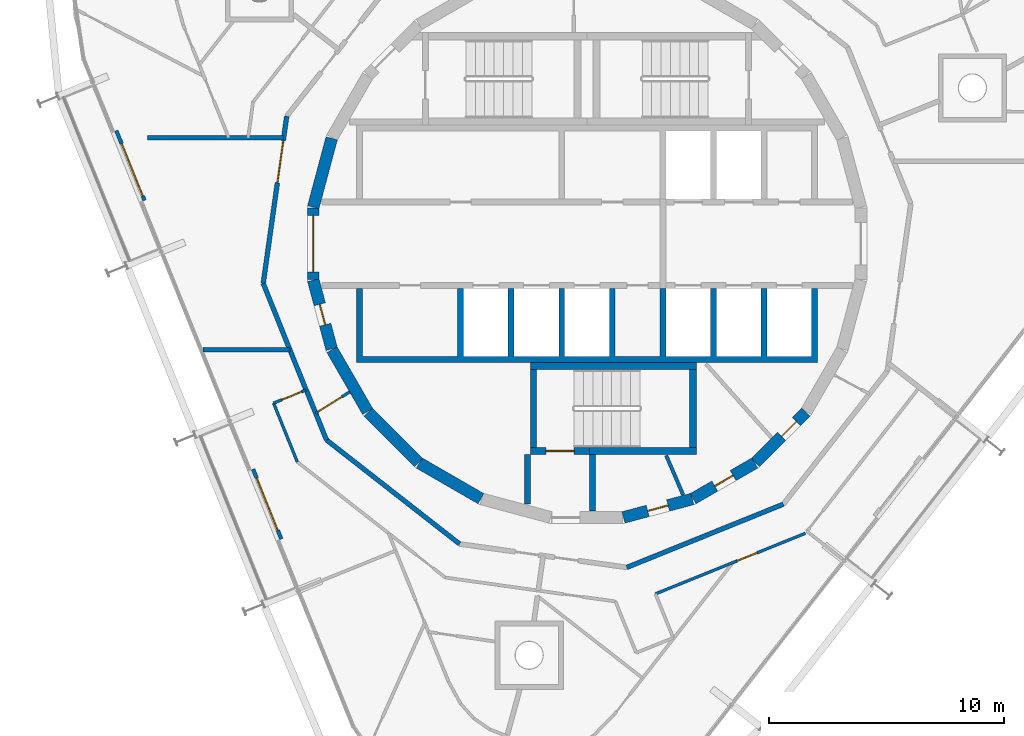
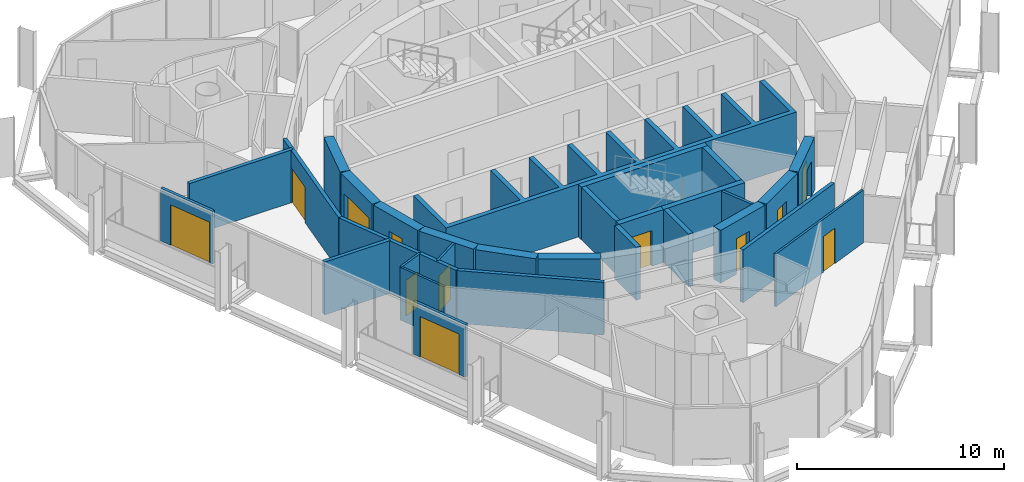
# One storey, part 10 of 15: 31 walls, 12 doors, 12 openings.
"""IFC4 building model written with IfcOpenShell, lengths in metres."""

from ifc_helpers import new_model, si_unit, direction, frame, frame_2d, origin, place, context, subcontext, project, spatial, polyline, rectangle, outline, extrude, material, layer, layer_set, type_object, element, fill, save


model = new_model("IFC4")

# Units and contexts
model_context = context("Model", 3, precision=1e-05, world=origin(), true_north=direction((0.0, 1.0)))
body_context = subcontext(model_context, "Body", "Model", "MODEL_VIEW")
ifc_project = project(units=[si_unit("LENGTHUNIT", "METRE"), si_unit("AREAUNIT", "SQUARE_METRE"), si_unit("VOLUMEUNIT", "CUBIC_METRE"), si_unit("PLANEANGLEUNIT", "RADIAN"), si_unit("MASSUNIT", "GRAM", prefix="KILO")], contexts=[model_context])

# Site, building, storey
site_placement = place(None, origin())
site = spatial("IfcSite", under=ifc_project, at=site_placement, CompositionType="ELEMENT")
building_placement = place(site_placement, origin())
building = spatial("IfcBuilding", under=site, at=building_placement, Name="Spindle Arch Residences", CompositionType="ELEMENT")
storey_placement = place(building_placement, frame((0.0, 0.0, 350.5)))
storey = spatial("IfcBuildingStorey", under=building, at=storey_placement, Name="L90", CompositionType="ELEMENT", Elevation=350.5)

# Wall, opening, door
ifc_material_1 = material(Name="Concrete C50/60", Category="concrete")
ifc_layer_1 = layer(ifc_material_1, 0.5)
ifc_layer_set_1 = layer_set([ifc_layer_1], Name="Core outline wall 500")
wall_type_1 = type_object("IfcWallType", Name="Core outline wall 500", PredefinedType="SHEAR", material=ifc_layer_set_1)
wall_1_placement = place(storey_placement, frame((1.5498046875, -11.642822265625, 0.0), z_axis=(0.0, 0.0, 1.0), x_axis=(0.965948410781, 0.258734743916, 0.0)))
wall_1 = element("IfcWall", 1, at=wall_1_placement, inside=storey, type_object=wall_type_1, Name="Core outline wall 1", PredefinedType="SHEAR", context=body_context, shape_type="SweptSolid", body=[
    extrude(rectangle(XDim=3.03271484375, YDim=0.5, at=frame_2d((1.516357421875, 0.0))), origin(), (0.0, 0.0, 1.0), 3.1201171875),
])
opening_1_placement = place(wall_1_placement, frame((1.06640625, 0.0, 0.0)))
opening_1 = element("IfcOpeningElement", 2, at=opening_1_placement, cuts=wall_1, Name="Opening R9B1-WD08", PredefinedType="OPENING", context=body_context, shape_type="SweptSolid", body=[
    extrude(rectangle(XDim=0.89990234375, YDim=2.10009765625, at=frame_2d((0.449951171875, 1.050048828125))), frame((0.0, 0.260009765625, 0.0), z_axis=(0.0, -1.0, 0.0), x_axis=(1.0, 0.0, 0.0)), (0.0, 0.0, 1.0), 0.52001953125),
])
ifc_material_2 = material(Name="Steel, fire-resisting door", Category="steel")
door_type_1 = type_object("IfcDoorType", Name="Service room door 900x2100", OperationType="SINGLE_SWING_LEFT", PredefinedType="DOOR", material=ifc_material_2)
door_1_placement = place(opening_1_placement, origin())
door_1 = element("IfcDoor", 3, at=door_1_placement, inside=storey, type_object=door_type_1, Name="Service room door R9B1-WD08", OperationType="SINGLE_SWING_RIGHT", OverallHeight=2.10009765625, OverallWidth=0.89990234375, PredefinedType="DOOR", context=body_context, shape_type="SweptSolid", body=[
    extrude(rectangle(XDim=0.89990234375, YDim=2.10009765625, at=frame_2d((0.449951171875, 1.050048828125))), frame((0.0, 0.02490234375, 0.0), z_axis=(0.0, -1.0, 0.0), x_axis=(1.0, 0.0, 0.0)), (0.0, 0.0, 1.0), 0.050048828125),
])
fill(opening_1, door_1)

wall_2_placement = place(storey_placement, frame((4.510498046875, -10.84521484375, 0.0), z_axis=(0.0, 0.0, 1.0), x_axis=(0.865975092491, 0.500087131594, 0.0)))
wall_2 = element("IfcWall", 4, at=wall_2_placement, inside=storey, type_object=wall_type_1, Name="Core outline wall 2", PredefinedType="SHEAR", context=body_context, shape_type="SweptSolid", body=[
    extrude(rectangle(XDim=3.03271484375, YDim=0.5, at=frame_2d((1.516357421875, 0.0))), origin(), (0.0, 0.0, 1.0), 3.1201171875),
])
opening_2_placement = place(wall_2_placement, frame((1.06640625, 0.0, 0.0)))
opening_2 = element("IfcOpeningElement", 5, at=opening_2_placement, cuts=wall_2, Name="Opening R9B1-WD09", PredefinedType="OPENING", context=body_context, shape_type="SweptSolid", body=[
    extrude(rectangle(XDim=0.89990234375, YDim=2.10009765625, at=frame_2d((0.449951171875, 1.050048828125))), frame((0.0, 0.260009765625, 0.0), z_axis=(0.0, -1.0, 0.0), x_axis=(1.0, 0.0, 0.0)), (0.0, 0.0, 1.0), 0.52001953125),
])
door_2_placement = place(opening_2_placement, origin())
door_2 = element("IfcDoor", 6, at=door_2_placement, inside=storey, type_object=door_type_1, Name="Service room door R9B1-WD09", OperationType="SINGLE_SWING_LEFT", OverallHeight=2.10009765625, OverallWidth=0.89990234375, PredefinedType="DOOR", context=body_context, shape_type="SweptSolid", body=[
    extrude(rectangle(XDim=0.89990234375, YDim=2.10009765625, at=frame_2d((0.449951171875, 1.050048828125))), frame((0.0, 0.02490234375, 0.0), z_axis=(0.0, -1.0, 0.0), x_axis=(1.0, 0.0, 0.0)), (0.0, 0.0, 1.0), 0.050048828125),
])
fill(opening_2, door_2)

wall_3_placement = place(storey_placement, frame((7.163818359375, -9.30810546875, 0.0), z_axis=(0.0, 0.0, 1.0), x_axis=(0.707106781187, 0.707106781187, 0.0)))
wall_3 = element("IfcWall", 7, at=wall_3_placement, inside=storey, type_object=wall_type_1, Name="Core outline wall 3", PredefinedType="SHEAR", context=body_context, shape_type="SweptSolid", body=[
    extrude(rectangle(XDim=3.032470703125, YDim=0.5, at=frame_2d((1.51611328125, 0.0))), origin(), (0.0, 0.0, 1.0), 3.1201171875),
])
opening_3_placement = place(wall_3_placement, frame((1.56640625, 0.0, 0.0)))
opening_3 = element("IfcOpeningElement", 8, at=opening_3_placement, cuts=wall_3, Name="Opening R9B1-WD07", PredefinedType="OPENING", context=body_context, shape_type="SweptSolid", body=[
    extrude(rectangle(XDim=0.89990234375, YDim=2.10009765625, at=frame_2d((0.449951171875, 1.050048828125))), frame((0.0, 0.260009765625, 0.0), z_axis=(0.0, -1.0, 0.0), x_axis=(1.0, 0.0, 0.0)), (0.0, 0.0, 1.0), 0.52001953125),
])
door_3_placement = place(opening_3_placement, origin())
door_3 = element("IfcDoor", 9, at=door_3_placement, inside=storey, type_object=door_type_1, Name="Service room door R9B1-WD07", OperationType="SINGLE_SWING_LEFT", OverallHeight=2.10009765625, OverallWidth=0.89990234375, PredefinedType="DOOR", context=body_context, shape_type="SweptSolid", body=[
    extrude(rectangle(XDim=0.89990234375, YDim=2.10009765625, at=frame_2d((0.449951171875, 1.050048828125))), frame((0.0, 0.02490234375, 0.0), z_axis=(0.0, -1.0, 0.0), x_axis=(1.0, 0.0, 0.0)), (0.0, 0.0, 1.0), 0.050048828125),
])
fill(opening_3, door_3)

# Wall
wall_4_placement = place(storey_placement, frame((-10.858154296875, 4.479248046875, 0.0), z_axis=(0.0, 0.0, 1.0), x_axis=(-0.258734743916, -0.965948410781, 0.0)))
element("IfcWall", 10, at=wall_4_placement, inside=storey, type_object=wall_type_1, Name="Core outline wall 17", PredefinedType="SHEAR", context=body_context, shape_type="SweptSolid", body=[
    extrude(rectangle(XDim=3.03271484375, YDim=0.5, at=frame_2d((1.516357421875, 0.0))), origin(), (0.0, 0.0, 1.0), 3.1201171875),
])

# Wall, opening, door
wall_5_placement = place(storey_placement, frame((-11.647216796875, 1.516357421875, 0.0), z_axis=(0.0, 0.0, 1.0), x_axis=(0.0, -1.0, 0.0)))
wall_5 = element("IfcWall", 11, at=wall_5_placement, inside=storey, type_object=wall_type_1, Name="Core outline wall 18", PredefinedType="SHEAR", context=body_context, shape_type="SweptSolid", body=[
    extrude(rectangle(XDim=3.03271484375, YDim=0.5, at=frame_2d((1.516357421875, 0.0))), origin(), (0.0, 0.0, 1.0), 3.1201171875),
])
opening_4_placement = place(wall_5_placement, frame((0.31640625, 0.0, 0.0)))
opening_4 = element("IfcOpeningElement", 12, at=opening_4_placement, cuts=wall_5, Name="Opening R9B1-LE01", PredefinedType="OPENING", context=body_context, shape_type="SweptSolid", body=[
    extrude(rectangle(XDim=2.39990234375, YDim=2.10009765625, at=frame_2d((1.199951171875, 1.050048828125))), frame((0.0, 0.260009765625, 0.0), z_axis=(0.0, -1.0, 0.0), x_axis=(1.0, 0.0, 0.0)), (0.0, 0.0, 1.0), 0.52001953125),
])
ifc_material_3 = material(Name="Steel, fire-resisting door", Category="steel")
door_type_2 = type_object("IfcDoorType", Name="Lift lobby entrance door 2400x2100", OperationType="DOUBLE_DOOR_SINGLE_SWING", PredefinedType="DOOR", material=ifc_material_3)
door_4_placement = place(opening_4_placement, origin())
door_4 = element("IfcDoor", 13, at=door_4_placement, inside=storey, type_object=door_type_2, Name="Lift lobby entrance door R9B1-LE01", OperationType="DOUBLE_DOOR_SINGLE_SWING", OverallHeight=2.10009765625, OverallWidth=2.39990234375, PredefinedType="DOOR", context=body_context, shape_type="SweptSolid", body=[
    extrude(rectangle(XDim=2.39990234375, YDim=2.10009765625, at=frame_2d((1.199951171875, 1.050048828125))), frame((0.0, 0.02490234375, 0.0), z_axis=(0.0, -1.0, 0.0), x_axis=(1.0, 0.0, 0.0)), (0.0, 0.0, 1.0), 0.050048828125),
])
fill(opening_4, door_4)

wall_6_placement = place(storey_placement, frame((-11.642822265625, -1.5498046875, 0.0), z_axis=(0.0, 0.0, 1.0), x_axis=(0.258734743916, -0.965948410781, 0.0)))
wall_6 = element("IfcWall", 14, at=wall_6_placement, inside=storey, type_object=wall_type_1, Name="Core outline wall 19", PredefinedType="SHEAR", context=body_context, shape_type="SweptSolid", body=[
    extrude(rectangle(XDim=3.03271484375, YDim=0.5, at=frame_2d((1.516357421875, 0.0))), origin(), (0.0, 0.0, 1.0), 3.1201171875),
])
opening_5_placement = place(wall_6_placement, frame((1.06640625, 0.0, 0.0)))
opening_5 = element("IfcOpeningElement", 15, at=opening_5_placement, cuts=wall_6, Name="Opening R9B1-WD10", PredefinedType="OPENING", context=body_context, shape_type="SweptSolid", body=[
    extrude(rectangle(XDim=0.89990234375, YDim=2.10009765625, at=frame_2d((0.449951171875, 1.050048828125))), frame((0.0, 0.260009765625, 0.0), z_axis=(0.0, -1.0, 0.0), x_axis=(1.0, 0.0, 0.0)), (0.0, 0.0, 1.0), 0.52001953125),
])
door_5_placement = place(opening_5_placement, origin())
door_5 = element("IfcDoor", 16, at=door_5_placement, inside=storey, type_object=door_type_1, Name="Service room door R9B1-WD10", OperationType="SINGLE_SWING_RIGHT", OverallHeight=2.10009765625, OverallWidth=0.89990234375, PredefinedType="DOOR", context=body_context, shape_type="SweptSolid", body=[
    extrude(rectangle(XDim=0.89990234375, YDim=2.10009765625, at=frame_2d((0.449951171875, 1.050048828125))), frame((0.0, 0.02490234375, 0.0), z_axis=(0.0, -1.0, 0.0), x_axis=(1.0, 0.0, 0.0)), (0.0, 0.0, 1.0), 0.050048828125),
])
fill(opening_5, door_5)

# Walls
wall_7_placement = place(storey_placement, frame((-10.84521484375, -4.510498046875, 0.0), z_axis=(0.0, 0.0, 1.0), x_axis=(0.500087131594, -0.865975092491, 0.0)))
element("IfcWall", 17, at=wall_7_placement, inside=storey, type_object=wall_type_1, Name="Core outline wall 20", PredefinedType="SHEAR", context=body_context, shape_type="SweptSolid", body=[
    extrude(rectangle(XDim=3.03271484375, YDim=0.5, at=frame_2d((1.516357421875, 0.0))), origin(), (0.0, 0.0, 1.0), 3.1201171875),
])
wall_8_placement = place(storey_placement, frame((-9.30810546875, -7.163818359375, 0.0), z_axis=(0.0, 0.0, 1.0), x_axis=(0.707106781187, -0.707106781187, 0.0)))
element("IfcWall", 18, at=wall_8_placement, inside=storey, type_object=wall_type_1, Name="Core outline wall 21", PredefinedType="SHEAR", context=body_context, shape_type="SweptSolid", body=[
    extrude(rectangle(XDim=3.032470703125, YDim=0.5, at=frame_2d((1.51611328125, 0.0))), origin(), (0.0, 0.0, 1.0), 3.1201171875),
])
wall_9_placement = place(storey_placement, frame((-7.13671875, -9.32861328125, 0.0), z_axis=(0.0, 0.0, 1.0), x_axis=(0.865975092491, -0.500087131594, 0.0)))
element("IfcWall", 19, at=wall_9_placement, inside=storey, type_object=wall_type_1, Name="Core outline wall 22", PredefinedType="SHEAR", context=body_context, shape_type="SweptSolid", body=[
    extrude(rectangle(XDim=3.03271484375, YDim=0.5, at=frame_2d((1.516357421875, 0.0))), origin(), (0.0, 0.0, 1.0), 3.1201171875),
])

# Wall, opening, door
ifc_material_4 = material(Name="Plasterboard on steel studs", Category="steel")
ifc_layer_2 = layer(ifc_material_4, 0.1201171875)
ifc_layer_set_2 = layer_set([ifc_layer_2], Name="Corridor division wall 120")
wall_type_2 = type_object("IfcWallType", Name="Corridor division wall 120", PredefinedType="PARTITIONING", material=ifc_layer_set_2)
wall_10_placement = place(storey_placement, frame((-11.539306640625, -7.21044921875, 0.0), z_axis=(0.0, 0.0, 1.0), x_axis=(0.848103039868, 0.529831325769, 0.0)))
wall_10 = element("IfcWall", 20, at=wall_10_placement, inside=storey, type_object=wall_type_2, Name="Corridor division wall R9B1-W003", PredefinedType="PARTITIONING", context=body_context, shape_type="SweptSolid", body=[
    extrude(rectangle(XDim=1.7021484375, YDim=0.1201171875, at=frame_2d((0.85107421875, 0.0))), origin(), (0.0, 0.0, 1.0), 3.1201171875),
])
opening_6_placement = place(wall_10_placement, frame((0.1201171875, 0.0, 0.0)))
opening_6 = element("IfcOpeningElement", 21, at=opening_6_placement, cuts=wall_10, Name="Opening R9B1-CD03", PredefinedType="OPENING", context=body_context, shape_type="SweptSolid", body=[
    extrude(rectangle(XDim=1.199951171875, YDim=2.10009765625, at=frame_2d((0.60009765625, 1.050048828125))), frame((0.0, 0.070068359375, 0.0), z_axis=(0.0, -1.0, 0.0), x_axis=(1.0, 0.0, 0.0)), (0.0, 0.0, 1.0), 0.14013671875),
])
ifc_material_5 = material(Name="Steel, fire-resisting door", Category="steel")
door_type_3 = type_object("IfcDoorType", Name="Corridor division door 1200x2100", OperationType="NOTDEFINED", PredefinedType="DOOR", material=ifc_material_5)
door_6_placement = place(opening_6_placement, origin())
door_6 = element("IfcDoor", 22, at=door_6_placement, inside=storey, type_object=door_type_3, Name="Corridor division door R9B1-CD03", OperationType="DOUBLE_DOOR_SINGLE_SWING", OverallHeight=2.10009765625, OverallWidth=1.199951171875, PredefinedType="DOOR", context=body_context, shape_type="SweptSolid", body=[
    extrude(rectangle(XDim=1.199951171875, YDim=2.10009765625, at=frame_2d((0.60009765625, 1.050048828125))), frame((0.0, 0.02490234375, 0.0), z_axis=(0.0, -1.0, 0.0), x_axis=(1.0, 0.0, 0.0)), (0.0, 0.0, 1.0), 0.050048828125),
])
fill(opening_6, door_6)

# Walls
ifc_material_6 = material(Name="Calcium silicate block, plastered")
ifc_layer_3 = layer(ifc_material_6, 0.199951171875)
ifc_layer_set_3 = layer_set([ifc_layer_3], Name="Corridor wall 200")
wall_type_3 = type_object("IfcWallType", Name="Corridor wall 200", PredefinedType="STANDARD", material=ifc_layer_set_3)
wall_11_placement = place(storey_placement, frame((-11.939453125, -6.2197265625, 0.0), z_axis=(0.0, 0.0, 1.0), x_axis=(0.374651128394, -0.927165860024, 0.0)))
element("IfcWall", 23, at=wall_11_placement, inside=storey, type_object=wall_type_3, Name="Corridor wall R9B1-W013", PredefinedType="STANDARD", context=body_context, shape_type="SweptSolid", body=[
    extrude(rectangle(XDim=2.29638671875, YDim=0.199951171875, at=frame_2d((1.148193359375, 0.0))), origin(), (0.0, 0.0, 1.0), 3.1201171875),
])
for number, where, z_axis, x_axis, name in (
    (24, (-11.0791015625, -8.348876953125, 0.0), (0.0, 0.0, 1.0), (0.78800478687, -0.615669112324, 0.0), "Corridor wall R9B1-W014"),
    (25, (1.690673828125, -13.769287109375, 0.0), (0.0, 0.0, 1.0), (0.92717916932, 0.374618189599, 0.0), "Corridor wall R9B1-W016"),
):
    element("IfcWall", number, at=place(storey_placement, frame(where, z_axis=z_axis, x_axis=x_axis)), inside=storey, type_object=wall_type_3, Name=name, PredefinedType="STANDARD", context=body_context, shape_type="SweptSolid", body=[
        extrude(rectangle(XDim=7.18115234375, YDim=0.199951171875, at=frame_2d((3.590576171875, 0.0))), origin(), (0.0, 0.0, 1.0), 3.1201171875),
    ])

# Wall, opening, door
ifc_material_7 = material(Name="Plasterboard on steel studs", Category="steel")
ifc_layer_4 = layer(ifc_material_7, 0.1201171875)
ifc_layer_set_4 = layer_set([ifc_layer_4], Name="Flat partition 120")
wall_type_4 = type_object("IfcWallType", Name="Flat partition 120", PredefinedType="PARTITIONING", material=ifc_layer_set_4)
wall_12_placement = place(storey_placement, frame((-11.953369140625, -6.225341796875, 0.0), z_axis=(0.0, 0.0, 1.0), x_axis=(-0.927144096717, -0.374704982518, 0.0)))
wall_12 = element("IfcWall", 26, at=wall_12_placement, inside=storey, type_object=wall_type_4, Name="Flat partition R9B1-W072", PredefinedType="PARTITIONING", context=body_context, shape_type="SweptSolid", body=[
    extrude(rectangle(XDim=1.48486328125, YDim=0.1201171875, at=frame_2d((0.742431640625, 0.0))), origin(), (0.0, 0.0, 1.0), 3.1201171875),
])
opening_7_placement = place(wall_12_placement, frame((0.199951171875, 0.0, 0.0)))
opening_7 = element("IfcOpeningElement", 27, at=opening_7_placement, cuts=wall_12, Name="Opening R9B1-ID15", PredefinedType="OPENING", context=body_context, shape_type="SweptSolid", body=[
    extrude(rectangle(XDim=0.89990234375, YDim=2.10009765625, at=frame_2d((0.449951171875, 1.050048828125))), frame((0.0, 0.070068359375, 0.0), z_axis=(0.0, -1.0, 0.0), x_axis=(1.0, 0.0, 0.0)), (0.0, 0.0, 1.0), 0.14013671875),
])
ifc_material_8 = material(Name="Timber door set", Category="wood")
door_type_4 = type_object("IfcDoorType", Name="Room door 900x2100", OperationType="NOTDEFINED", PredefinedType="DOOR", material=ifc_material_8)
door_7_placement = place(opening_7_placement, origin())
door_7 = element("IfcDoor", 28, at=door_7_placement, inside=storey, type_object=door_type_4, Name="Room door R9B1-ID15", OperationType="SINGLE_SWING_LEFT", OverallHeight=2.10009765625, OverallWidth=0.89990234375, PredefinedType="DOOR", context=body_context, shape_type="SweptSolid", body=[
    extrude(rectangle(XDim=0.89990234375, YDim=2.10009765625, at=frame_2d((0.449951171875, 1.050048828125))), frame((0.0, 0.02490234375, 0.0), z_axis=(0.0, -1.0, 0.0), x_axis=(1.0, 0.0, 0.0)), (0.0, 0.0, 1.0), 0.050048828125),
])
fill(opening_7, door_7)

# Wall
wall_13_placement = place(storey_placement, frame((-13.330078125, -6.78173828125, 0.0), z_axis=(0.0, 0.0, 1.0), x_axis=(0.374602180132, -0.927185637637, 0.0)))
element("IfcWall", 29, at=wall_13_placement, inside=storey, type_object=wall_type_4, Name="Flat partition R9B1-W073", PredefinedType="PARTITIONING", context=body_context, shape_type="SweptSolid", body=[
    extrude(rectangle(XDim=2.6982421875, YDim=0.1201171875, at=frame_2d((1.34912109375, 0.0))), origin(), (0.0, 0.0, 1.0), 3.1201171875),
])

# Wall, opening, door
wall_14_placement = place(storey_placement, frame((2.912109375, -14.8935546875, 0.0), z_axis=(0.0, 0.0, 1.0), x_axis=(0.927182280165, 0.374610490174, 0.0)))
wall_14 = element("IfcWall", 30, at=wall_14_placement, inside=storey, type_object=wall_type_4, Name="Flat partition R9B1-W087", PredefinedType="PARTITIONING", context=body_context, shape_type="SweptSolid", body=[
    extrude(rectangle(XDim=6.871826171875, YDim=0.1201171875, at=frame_2d((3.43603515625, 0.0))), origin(), (0.0, 0.0, 1.0), 3.1201171875),
])
opening_8_placement = place(wall_14_placement, frame((3.748291015625, 0.0, 0.0)))
opening_8 = element("IfcOpeningElement", 31, at=opening_8_placement, cuts=wall_14, Name="Opening R9B1-ID19", PredefinedType="OPENING", context=body_context, shape_type="SweptSolid", body=[
    extrude(rectangle(XDim=0.89990234375, YDim=2.10009765625, at=frame_2d((0.449951171875, 1.050048828125))), frame((0.0, 0.070068359375, 0.0), z_axis=(0.0, -1.0, 0.0), x_axis=(1.0, 0.0, 0.0)), (0.0, 0.0, 1.0), 0.14013671875),
])
door_8_placement = place(opening_8_placement, origin())
door_8 = element("IfcDoor", 32, at=door_8_placement, inside=storey, type_object=door_type_4, Name="Room door R9B1-ID19", OperationType="SINGLE_SWING_LEFT", OverallHeight=2.10009765625, OverallWidth=0.89990234375, PredefinedType="DOOR", context=body_context, shape_type="SweptSolid", body=[
    extrude(rectangle(XDim=0.89990234375, YDim=2.10009765625, at=frame_2d((0.449951171875, 1.050048828125))), frame((0.0, 0.02490234375, 0.0), z_axis=(0.0, -1.0, 0.0), x_axis=(1.0, 0.0, 0.0)), (0.0, 0.0, 1.0), 0.050048828125),
])
fill(opening_8, door_8)

ifc_material_9 = material(Name="Non-combustible mineral wool insulated aluminium faced external wall (K0)", Category="aluminium")
ifc_layer_5 = layer(ifc_material_9, 0.159912109375)
ifc_layer_set_5 = layer_set([ifc_layer_5], Name="Insulated external wall panel 160")
wall_type_5 = type_object("IfcWallType", Name="Insulated external wall panel 160", PredefinedType="STANDARD", material=ifc_layer_set_5)
wall_15_placement = place(storey_placement, frame((-20.01611328125, 4.805908203125, 0.0), z_axis=(0.0, 0.0, 1.0), x_axis=(0.374598019739, -0.927187318511, 0.0)))
wall_15 = element("IfcWall", 33, at=wall_15_placement, inside=storey, type_object=wall_type_5, Name="External wall L90 bay 12", PredefinedType="STANDARD", context=body_context, shape_type="SweptSolid", body=[
    extrude(rectangle(XDim=3.199951171875, YDim=0.159912109375, at=frame_2d((1.60009765625, 0.0))), origin(), (0.0, 0.0, 1.0), 3.1201171875),
])
opening_9_placement = place(wall_15_placement, frame((0.60009765625, 0.0, 0.0)))
opening_9 = element("IfcOpeningElement", 34, at=opening_9_placement, cuts=wall_15, Name="Opening BD12", PredefinedType="OPENING", context=body_context, shape_type="SweptSolid", body=[
    extrude(rectangle(XDim=2.39990234375, YDim=2.39990234375, at=frame_2d((1.199951171875, 1.199951171875))), frame((0.0, 0.08984375, 0.0), z_axis=(0.0, -1.0, 0.0), x_axis=(1.0, 0.0, 0.0)), (0.0, 0.0, 1.0), 0.179931640625),
])
ifc_material_10 = material(Name="Bronze aluminium frame, tinted double glazing", Category="aluminium")
door_type_5 = type_object("IfcDoorType", Name="Sliding glazed balcony door 2400x2400", OperationType="DOUBLE_DOOR_SLIDING", PredefinedType="DOOR", material=ifc_material_10)
door_9_placement = place(opening_9_placement, origin())
door_9 = element("IfcDoor", 35, at=door_9_placement, inside=storey, type_object=door_type_5, Name="Balcony door BD12", OperationType="DOUBLE_DOOR_SLIDING", OverallHeight=2.39990234375, OverallWidth=2.39990234375, PredefinedType="DOOR", context=body_context, shape_type="SweptSolid", body=[
    extrude(rectangle(XDim=2.39990234375, YDim=2.39990234375, at=frame_2d((1.199951171875, 1.199951171875))), frame((0.0, 0.02490234375, 0.0), z_axis=(0.0, -1.0, 0.0), x_axis=(1.0, 0.0, 0.0)), (0.0, 0.0, 1.0), 0.050048828125),
])
fill(opening_9, door_9)

wall_16_placement = place(storey_placement, frame((-14.1982421875, -9.594482421875, 0.0), z_axis=(0.0, 0.0, 1.0), x_axis=(0.374624519695, -0.927176611678, 0.0)))
wall_16 = element("IfcWall", 36, at=wall_16_placement, inside=storey, type_object=wall_type_5, Name="External wall L90 bay 14", PredefinedType="STANDARD", context=body_context, shape_type="SweptSolid", body=[
    extrude(rectangle(XDim=3.19970703125, YDim=0.159912109375, at=frame_2d((1.599853515625, 0.0))), origin(), (0.0, 0.0, 1.0), 3.1201171875),
])
opening_10_placement = place(wall_16_placement, frame((0.39990234375, 0.0, 0.0)))
opening_10 = element("IfcOpeningElement", 37, at=opening_10_placement, cuts=wall_16, Name="Opening BD14", PredefinedType="OPENING", context=body_context, shape_type="SweptSolid", body=[
    extrude(rectangle(XDim=2.39990234375, YDim=2.39990234375, at=frame_2d((1.199951171875, 1.199951171875))), frame((0.0, 0.08984375, 0.0), z_axis=(0.0, -1.0, 0.0), x_axis=(1.0, 0.0, 0.0)), (0.0, 0.0, 1.0), 0.179931640625),
])
door_10_placement = place(opening_10_placement, origin())
door_10 = element("IfcDoor", 38, at=door_10_placement, inside=storey, type_object=door_type_5, Name="Balcony door BD14", OperationType="DOUBLE_DOOR_SLIDING", OverallHeight=2.39990234375, OverallWidth=2.39990234375, PredefinedType="DOOR", context=body_context, shape_type="SweptSolid", body=[
    extrude(rectangle(XDim=2.39990234375, YDim=2.39990234375, at=frame_2d((1.199951171875, 1.199951171875))), frame((0.0, 0.02490234375, 0.0), z_axis=(0.0, -1.0, 0.0), x_axis=(1.0, 0.0, 0.0)), (0.0, 0.0, 1.0), 0.050048828125),
])
fill(opening_10, door_10)

ifc_material_11 = material(Name="Calcium silicate block, plastered")
ifc_layer_6 = layer(ifc_material_11, 0.199951171875)
ifc_layer_set_6 = layer_set([ifc_layer_6], Name="Lift lobby bay wall 200")
wall_type_6 = type_object("IfcWallType", Name="Lift lobby bay wall 200", PredefinedType="STANDARD", material=ifc_layer_set_6)
wall_17_placement = place(storey_placement, frame((-12.77001953125, 5.42041015625, 0.0), z_axis=(0.0, 0.0, 1.0), x_axis=(-0.139155334385, -0.990270565508, 0.0)))
wall_17 = element("IfcWall", 39, at=wall_17_placement, inside=storey, type_object=wall_type_6, Name="Lift lobby bay wall R9B1-W009", PredefinedType="STANDARD", context=body_context, shape_type="SweptSolid", body=[
    extrude(rectangle(XDim=7.180908203125, YDim=0.199951171875, at=frame_2d((3.59033203125, 0.0))), origin(), (0.0, 0.0, 1.0), 3.1201171875),
])
opening_11_placement = place(wall_17_placement, frame((1.0546875, 0.0, 0.0)))
opening_11 = element("IfcOpeningElement", 40, at=opening_11_placement, cuts=wall_17, Name="Opening R9B1-LB01", PredefinedType="OPENING", context=body_context, shape_type="SweptSolid", body=[
    extrude(rectangle(XDim=1.800048828125, YDim=2.10009765625, at=frame_2d((0.89990234375, 1.050048828125))), frame((0.0, 0.10986328125, 0.0), z_axis=(0.0, -1.0, 0.0), x_axis=(1.0, 0.0, 0.0)), (0.0, 0.0, 1.0), 0.219970703125),
])
ifc_material_12 = material(Name="Steel, fire-resisting door", Category="steel")
door_type_6 = type_object("IfcDoorType", Name="Lift lobby bay door 1800x2100", OperationType="NOTDEFINED", PredefinedType="DOOR", material=ifc_material_12)
door_11_placement = place(opening_11_placement, origin())
door_11 = element("IfcDoor", 41, at=door_11_placement, inside=storey, type_object=door_type_6, Name="Lift lobby bay door R9B1-LB01", OperationType="DOUBLE_DOOR_SINGLE_SWING", OverallHeight=2.10009765625, OverallWidth=1.800048828125, PredefinedType="DOOR", context=body_context, shape_type="SweptSolid", body=[
    extrude(rectangle(XDim=1.800048828125, YDim=2.10009765625, at=frame_2d((0.89990234375, 1.050048828125))), frame((0.0, 0.02490234375, 0.0), z_axis=(0.0, -1.0, 0.0), x_axis=(1.0, 0.0, 0.0)), (0.0, 0.0, 1.0), 0.050048828125),
])
fill(opening_11, door_11)

# Walls
wall_18_placement = place(storey_placement, frame((-13.769287109375, -1.690673828125, 0.0), z_axis=(0.0, 0.0, 1.0), x_axis=(0.372720094028, -0.927943819155, 0.0)))
element("IfcWall", 42, at=wall_18_placement, inside=storey, type_object=wall_type_6, Name="Lift lobby bay wall R9B1-W010", PredefinedType="STANDARD", context=body_context, shape_type="SweptSolid", body=[
    extrude(rectangle(XDim=4.874755859375, YDim=0.199951171875, at=frame_2d((2.4375, 0.0))), origin(), (0.0, 0.0, 1.0), 3.1201171875),
])
wall_19_placement = place(storey_placement, frame((-12.8994140625, 4.5, 0.0), z_axis=(0.0, 0.0, 1.0), x_axis=(-1.0, 0.0, 0.0)))
element("IfcWall", 43, at=wall_19_placement, inside=storey, type_object=wall_type_6, Name="Lift lobby bay wall R9B1-W017", PredefinedType="STANDARD", context=body_context, shape_type="SweptSolid", body=[
    extrude(rectangle(XDim=5.800537109375, YDim=0.199951171875, at=frame_2d((2.900390625, 0.0))), origin(), (0.0, 0.0, 1.0), 3.1201171875),
])
wall_20_placement = place(storey_placement, frame((-16.338623046875, -4.510009765625, 0.0), z_axis=(0.0, 0.0, 1.0), x_axis=(1.0, 0.0, 0.0)))
element("IfcWall", 44, at=wall_20_placement, inside=storey, type_object=wall_type_6, Name="Lift lobby bay wall R9B1-W018", PredefinedType="STANDARD", context=body_context, shape_type="SweptSolid", body=[
    extrude(rectangle(XDim=3.697509765625, YDim=0.199951171875, at=frame_2d((1.8486328125, 0.0))), origin(), (0.0, 0.0, 1.0), 3.1201171875),
])
ifc_material_13 = material(Name="Concrete C50/60", Category="concrete")
wall_type_7 = type_object("IfcWallType", Name="Lift shaft wall profile", PredefinedType="SHEAR", material=ifc_material_13)
wall_21_placement = place(storey_placement, origin())
element("IfcWall", 45, at=wall_21_placement, inside=storey, type_object=wall_type_7, Name="Lift shaft walls S", PredefinedType="SHEAR", context=body_context, shape_type="SweptSolid", body=[
    extrude(outline(polyline([(9.800048828125, -5.050048828125), (9.800048828125, -4.800048828125), (9.800048828125, -1.89990234375), (9.550048828125, -1.89990234375), (9.550048828125, -4.800048828125), (7.64990234375, -4.800048828125), (7.64990234375, -1.89990234375), (7.39990234375, -1.89990234375), (7.39990234375, -4.800048828125), (5.5, -4.800048828125), (5.5, -1.89990234375), (5.25, -1.89990234375), (5.25, -4.800048828125), (3.35009765625, -4.800048828125), (3.35009765625, -1.89990234375), (3.10009765625, -1.89990234375), (3.10009765625, -4.800048828125), (1.199951171875, -4.800048828125), (1.199951171875, -1.89990234375), (0.949951171875, -1.89990234375), (0.949951171875, -4.800048828125), (-0.949951171875, -4.800048828125), (-0.949951171875, -1.89990234375), (-1.199951171875, -1.89990234375), (-1.199951171875, -4.800048828125), (-3.10009765625, -4.800048828125), (-3.10009765625, -1.89990234375), (-3.35009765625, -1.89990234375), (-3.35009765625, -4.800048828125), (-5.25, -4.800048828125), (-5.25, -1.89990234375), (-5.5, -1.89990234375), (-5.5, -4.800048828125), (-9.550048828125, -4.800048828125), (-9.550048828125, -1.89990234375), (-9.800048828125, -1.89990234375), (-9.800048828125, -4.800048828125), (-9.800048828125, -5.050048828125), (9.800048828125, -5.050048828125)])), origin(), (0.0, 0.0, 1.0), 3.1201171875),
])
ifc_material_14 = material(Name="Concrete C25/30", Category="concrete")
ifc_layer_7 = layer(ifc_material_14, 0.14990234375)
ifc_layer_set_7 = layer_set([ifc_layer_7], Name="Service room partition 150")
wall_type_8 = type_object("IfcWallType", Name="Service room partition 150", PredefinedType="PARTITIONING", material=ifc_layer_set_7)
wall_22_placement = place(storey_placement, frame((3.366943359375, -9.0068359375, 0.0), z_axis=(0.0, 0.0, 1.0), x_axis=(0.394387482265, -0.918944238696, 0.0)))
element("IfcWall", 46, at=wall_22_placement, inside=storey, type_object=wall_type_8, Name="Core service room partition", PredefinedType="PARTITIONING", context=body_context, shape_type="SweptSolid", body=[
    extrude(rectangle(XDim=1.824951171875, YDim=0.14990234375, at=frame_2d((0.91259765625, 0.0))), origin(), (0.0, 0.0, 1.0), 3.1201171875),
])
ifc_material_15 = material(Name="Concrete C40/50", Category="concrete")
ifc_layer_8 = layer(ifc_material_15, 0.25)
ifc_layer_set_8 = layer_set([ifc_layer_8], Name="Stair airlock wall 250")
wall_type_9 = type_object("IfcWallType", Name="Stair airlock wall 250", PredefinedType="SHEAR", material=ifc_layer_set_8)
wall_23_placement = place(storey_placement, frame((-2.52490234375, -8.969970703125, 0.0), z_axis=(0.0, 0.0, 1.0), x_axis=(0.0, -1.0, 0.0)))
element("IfcWall", 47, at=wall_23_placement, inside=storey, type_object=wall_type_9, Name="Stair ST-3 airlock wall W", PredefinedType="SHEAR", context=body_context, shape_type="SweptSolid", body=[
    extrude(rectangle(XDim=2.110107421875, YDim=0.25, at=frame_2d((1.05517578125, 0.0))), origin(), (0.0, 0.0, 1.0), 3.1201171875),
])
wall_24_placement = place(storey_placement, frame((0.22509765625, -8.969970703125, 0.0), z_axis=(0.0, 0.0, 1.0), x_axis=(0.0, -1.0, 0.0)))
element("IfcWall", 48, at=wall_24_placement, inside=storey, type_object=wall_type_9, Name="Stair ST-3 airlock wall E", PredefinedType="SHEAR", context=body_context, shape_type="SweptSolid", body=[
    extrude(rectangle(XDim=2.409912109375, YDim=0.25, at=frame_2d((1.205078125, 0.0))), origin(), (0.0, 0.0, 1.0), 3.1201171875),
])
ifc_material_16 = material(Name="Concrete C50/60", Category="concrete")
ifc_layer_9 = layer(ifc_material_16, 0.25)
ifc_layer_set_9 = layer_set([ifc_layer_9], Name="Stair enclosure wall 250")
wall_type_10 = type_object("IfcWallType", Name="Stair enclosure wall 250", PredefinedType="SHEAR", material=ifc_layer_set_9)
wall_25_placement = place(storey_placement, frame((-2.27490234375, -8.669921875, 0.0), z_axis=(0.0, 0.0, 1.0), x_axis=(0.0, 1.0, 0.0)))
element("IfcWall", 49, at=wall_25_placement, inside=storey, type_object=wall_type_10, Name="Stair ST-3 enclosure wall W", PredefinedType="SHEAR", context=body_context, shape_type="SweptSolid", body=[
    extrude(rectangle(XDim=3.31982421875, YDim=0.25, at=frame_2d((1.659912109375, 0.0))), origin(), (0.0, 0.0, 1.0), 3.1201171875),
])
ifc_material_17 = material(Name="Concrete C50/60", Category="concrete")
ifc_layer_10 = layer(ifc_material_17, 0.300048828125)
ifc_layer_set_10 = layer_set([ifc_layer_10], Name="Stair enclosure wall 300")
wall_type_11 = type_object("IfcWallType", Name="Stair enclosure wall 300", PredefinedType="SHEAR", material=ifc_layer_set_10)
wall_26_placement = place(storey_placement, frame((-2.39990234375, -5.199951171875, 0.0), z_axis=(0.0, 0.0, 1.0), x_axis=(1.0, 0.0, 0.0)))
element("IfcWall", 50, at=wall_26_placement, inside=storey, type_object=wall_type_11, Name="Stair ST-3 enclosure wall N", PredefinedType="SHEAR", context=body_context, shape_type="SweptSolid", body=[
    extrude(rectangle(XDim=7.0498046875, YDim=0.300048828125, at=frame_2d((3.52490234375, 0.0))), origin(), (0.0, 0.0, 1.0), 3.1201171875),
])
wall_27_placement = place(storey_placement, frame((4.5, -8.669921875, 0.0), z_axis=(0.0, 0.0, 1.0), x_axis=(0.0, 1.0, 0.0)))
element("IfcWall", 51, at=wall_27_placement, inside=storey, type_object=wall_type_11, Name="Stair ST-3 enclosure wall E", PredefinedType="SHEAR", context=body_context, shape_type="SweptSolid", body=[
    extrude(rectangle(XDim=3.31982421875, YDim=0.300048828125, at=frame_2d((1.659912109375, 0.0))), origin(), (0.0, 0.0, 1.0), 3.1201171875),
])
wall_28_placement = place(storey_placement, frame((0.10009765625, -8.820068359375, 0.0), z_axis=(0.0, 0.0, 1.0), x_axis=(1.0, 0.0, 0.0)))
element("IfcWall", 52, at=wall_28_placement, inside=storey, type_object=wall_type_11, Name="Stair ST-3 enclosure wall S", PredefinedType="SHEAR", context=body_context, shape_type="SweptSolid", body=[
    extrude(rectangle(XDim=4.5498046875, YDim=0.300048828125, at=frame_2d((2.27490234375, 0.0))), origin(), (0.0, 0.0, 1.0), 3.1201171875),
])

# Wall, opening, door
wall_29_placement = place(storey_placement, frame((-2.39990234375, -8.820068359375, 0.0), z_axis=(0.0, 0.0, 1.0), x_axis=(1.0, 0.0, 0.0)))
wall_29 = element("IfcWall", 53, at=wall_29_placement, inside=storey, type_object=wall_type_11, Name="Stair ST-3 door wall", PredefinedType="SHEAR", context=body_context, shape_type="SweptSolid", body=[
    extrude(rectangle(XDim=2.5, YDim=0.300048828125, at=frame_2d((1.25, 0.0))), origin(), (0.0, 0.0, 1.0), 3.1201171875),
])
opening_12_placement = place(wall_29_placement, frame((0.64990234375, 0.0, 0.0)))
opening_12 = element("IfcOpeningElement", 54, at=opening_12_placement, cuts=wall_29, Name="Opening R9B1-SD03", PredefinedType="OPENING", context=body_context, shape_type="SweptSolid", body=[
    extrude(rectangle(XDim=1.199951171875, YDim=2.10009765625, at=frame_2d((0.60009765625, 1.050048828125))), frame((0.0, 0.16015625, 0.0), z_axis=(0.0, -1.0, 0.0), x_axis=(1.0, 0.0, 0.0)), (0.0, 0.0, 1.0), 0.320068359375),
])
ifc_material_18 = material(Name="Steel, fire-resisting door", Category="steel")
door_type_7 = type_object("IfcDoorType", Name="Stair door 1200x2100", OperationType="SINGLE_SWING_RIGHT", PredefinedType="DOOR", material=ifc_material_18)
door_12_placement = place(opening_12_placement, origin())
door_12 = element("IfcDoor", 55, at=door_12_placement, inside=storey, type_object=door_type_7, Name="Stair door R9B1-SD03", OperationType="SINGLE_SWING_LEFT", OverallHeight=2.10009765625, OverallWidth=1.199951171875, PredefinedType="DOOR", context=body_context, shape_type="SweptSolid", body=[
    extrude(rectangle(XDim=1.199951171875, YDim=2.10009765625, at=frame_2d((0.60009765625, 1.050048828125))), frame((0.0, 0.02490234375, 0.0), z_axis=(0.0, -1.0, 0.0), x_axis=(1.0, 0.0, 0.0)), (0.0, 0.0, 1.0), 0.050048828125),
])
fill(opening_12, door_12)

save(model, "model.ifc")
